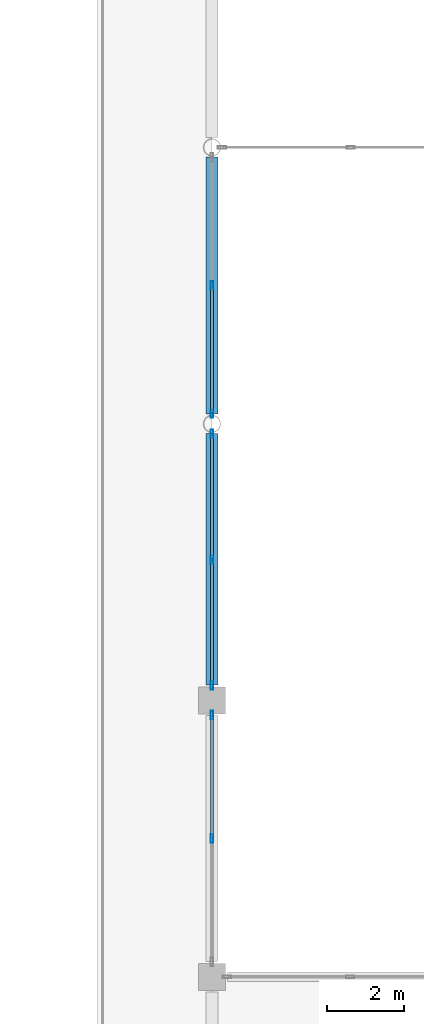
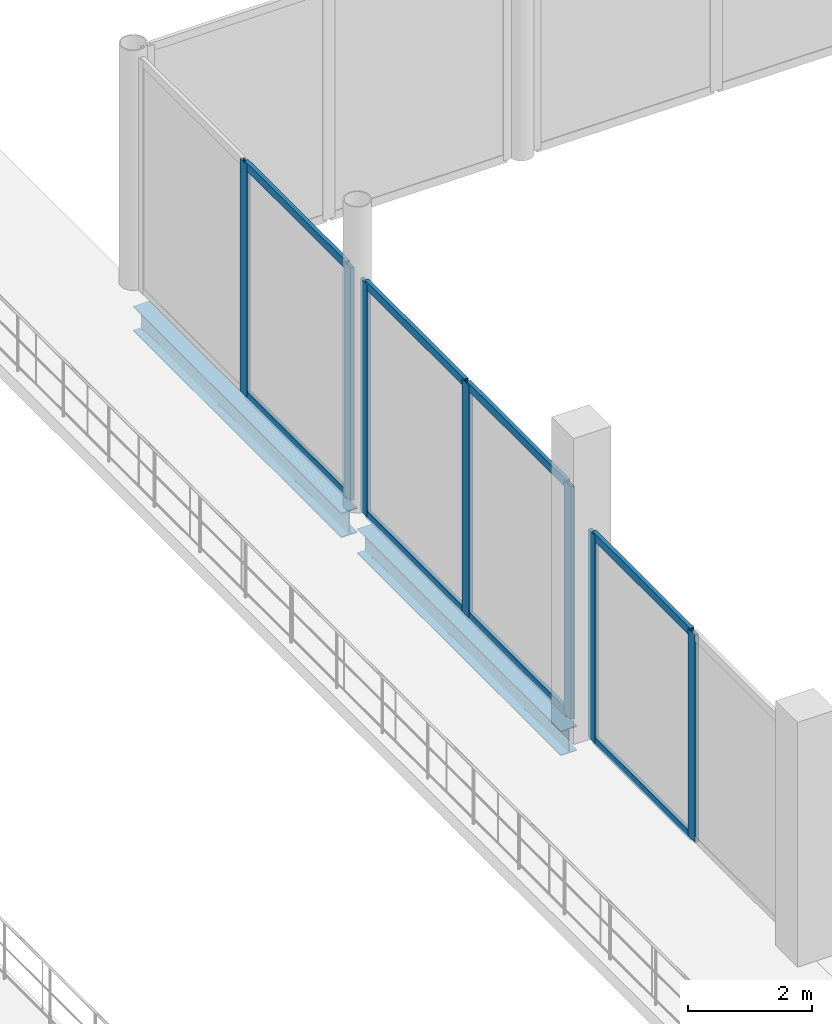
# One storey, part 40 of 120: 15 members, 2 beams, 3 elements without a shape of their own.
"""IFC4 building model written with IfcOpenShell, lengths in metres."""

from ifc_helpers import new_model, si_unit, direction, frame, origin, origin_2d, place, context, subcontext, project, spatial, hollow_rectangle, i_section, extrude, material, material_profile, profile_set, type_object, element, aggregate, save


model = new_model("IFC4")

# Units and contexts
model_context = context("Model", 3, precision=1e-05, world=origin(), true_north=direction((0.0, 1.0)))
body_context = subcontext(model_context, "Body", "Model", "MODEL_VIEW")
ifc_project = project(units=[si_unit("LENGTHUNIT", "METRE"), si_unit("AREAUNIT", "SQUARE_METRE"), si_unit("VOLUMEUNIT", "CUBIC_METRE"), si_unit("PLANEANGLEUNIT", "RADIAN"), si_unit("MASSUNIT", "GRAM", prefix="KILO")], contexts=[model_context])

# Site, building, storey
site_placement = place(None, origin())
site = spatial("IfcSite", under=ifc_project, at=site_placement, CompositionType="ELEMENT")
building_placement = place(site_placement, origin())
building = spatial("IfcBuilding", under=site, at=building_placement, Name="Vesperath Aquatics Centre", CompositionType="ELEMENT")
storey_placement = place(building_placement, frame((0.0, 0.0, 10.199951171875)))
storey = spatial("IfcBuildingStorey", under=building, at=storey_placement, Name="L02", CompositionType="ELEMENT", Elevation=10.199951171875)

# Beams
ifc_material_1 = material(Name="Steel Q355C", Category="steel")
ifc_material_profile_1 = material_profile(ifc_material_1, i_section(OverallWidth=0.300048828125, OverallDepth=0.488037109375, WebThickness=0.010986328125, FlangeThickness=0.01806640625, FilletRadius=0.02587890625, at=origin_2d()), Name="HM 488x300x11x18")
ifc_profile_set_1 = profile_set([ifc_material_profile_1], Name="Steel Q355C")
beam_type = type_object("IfcBeamType", Name="BM-G10", PredefinedType="BEAM", material=ifc_profile_set_1)
beam_1_placement = place(storey_placement, frame((115.199951171875, 50.800048828125, -0.50390625), z_axis=(0.0, 1.0, 0.0), x_axis=(-1.0, 0.0, 0.0)))
element("IfcBeam", 1, at=beam_1_placement, inside=storey, type_object=beam_type, Name="Floor Girder B10 L02 17 H-J", PredefinedType="BEAM", context=body_context, shape_type="SweptSolid", body=[
    extrude(i_section(OverallWidth=0.300048828125, OverallDepth=0.488037109375, WebThickness=0.010986328125, FlangeThickness=0.01806640625, FilletRadius=0.02587890625, at=origin_2d()), origin(), (0.0, 0.0, 1.0), 6.5458984375),
])
beam_2_placement = place(storey_placement, frame((115.199951171875, 57.85400390625, -0.50390625), z_axis=(0.0, 1.0, 0.0), x_axis=(-1.0, 0.0, 0.0)))
element("IfcBeam", 2, at=beam_2_placement, inside=storey, type_object=beam_type, Name="Floor Girder B10 L02 17 J-K", PredefinedType="BEAM", context=body_context, shape_type="SweptSolid", body=[
    extrude(i_section(OverallWidth=0.300048828125, OverallDepth=0.488037109375, WebThickness=0.010986328125, FlangeThickness=0.01806640625, FilletRadius=0.02587890625, at=origin_2d()), origin(), (0.0, 0.0, 1.0), 6.69189453125),
])

# Curtain wall, members
ifc_material_2 = material(Name="Thermally broken anodised bronze aluminium curtain wall", Category="aluminium")
curtain_wall_type = type_object("IfcCurtainWallType", Name="CW-06", PredefinedType="NOTDEFINED", material=ifc_material_2)
curtain_wall_1_placement = place(storey_placement, origin())
curtain_wall_1 = element("IfcCurtainWall", 3, at=curtain_wall_1_placement, inside=storey, type_object=curtain_wall_type, Name="Facade Curtain Wall CW06 L02_E_16_06", PredefinedType="NOTDEFINED")
ifc_material_3 = material(Name="Thermally broken anodised aluminium", Category="aluminium")
ifc_material_profile_2 = material_profile(ifc_material_3, hollow_rectangle(XDim=0.070068359375, YDim=0.219970703125, WallThickness=0.0048828125, at=origin_2d()), Name="CWM 70x220x5")
ifc_profile_set_2 = profile_set([ifc_material_profile_2], Name="Thermally broken anodised aluminium")
member_type_1 = type_object("IfcMemberType", Name="MB-CWM2", PredefinedType="MULLION", material=ifc_profile_set_2)
member_1_placement = place(storey_placement, frame((115.199951171875, 46.800048828125, 0.0), z_axis=(0.0, 0.0, 1.0), x_axis=(-1.0, 0.0, 0.0)))
member_1 = element("IfcMember", 4, at=member_1_placement, type_object=member_type_1, Name="CW06 mullion 2", PredefinedType="MULLION", context=body_context, shape_type="SweptSolid", body=[
    extrude(hollow_rectangle(XDim=0.070068359375, YDim=0.219970703125, WallThickness=0.0048828125, at=origin_2d()), origin(), (0.0, 0.0, 1.0), 4.072021484375),
])
member_2_placement = place(storey_placement, frame((115.199951171875, 50.014892578125, 0.0), z_axis=(0.0, 0.0, 1.0), x_axis=(-1.0, 0.0, 0.0)))
member_2 = element("IfcMember", 5, at=member_2_placement, type_object=member_type_1, Name="CW06 mullion 3", PredefinedType="MULLION", context=body_context, shape_type="SweptSolid", body=[
    extrude(hollow_rectangle(XDim=0.070068359375, YDim=0.219970703125, WallThickness=0.0048828125, at=origin_2d()), origin(), (0.0, 0.0, 1.0), 4.072021484375),
])

curtain_wall_2_placement = place(storey_placement, origin())
curtain_wall_2 = element("IfcCurtainWall", 6, at=curtain_wall_2_placement, inside=storey, type_object=curtain_wall_type, Name="Facade Curtain Wall CW06 L02_E_16_07", PredefinedType="NOTDEFINED")
member_3_placement = place(storey_placement, frame((115.199951171875, 50.784912109375, 0.0), z_axis=(0.0, 0.0, 1.0), x_axis=(-1.0, 0.0, 0.0)))
member_3 = element("IfcMember", 7, at=member_3_placement, type_object=member_type_1, Name="CW06 mullion 1", PredefinedType="MULLION", context=body_context, shape_type="SweptSolid", body=[
    extrude(hollow_rectangle(XDim=0.070068359375, YDim=0.219970703125, WallThickness=0.0048828125, at=origin_2d()), origin(), (0.0, 0.0, 1.0), 4.56005859375),
])
member_4_placement = place(storey_placement, frame((115.199951171875, 54.060791015625, 0.0), z_axis=(0.0, 0.0, 1.0), x_axis=(-1.0, 0.0, 0.0)))
member_4 = element("IfcMember", 8, at=member_4_placement, type_object=member_type_1, Name="CW06 mullion 2", PredefinedType="MULLION", context=body_context, shape_type="SweptSolid", body=[
    extrude(hollow_rectangle(XDim=0.070068359375, YDim=0.219970703125, WallThickness=0.0048828125, at=origin_2d()), origin(), (0.0, 0.0, 1.0), 4.56005859375),
])
member_5_placement = place(storey_placement, frame((115.199951171875, 57.33642578125, 0.0), z_axis=(0.0, 0.0, 1.0), x_axis=(-1.0, 0.0, 0.0)))
member_5 = element("IfcMember", 9, at=member_5_placement, type_object=member_type_1, Name="CW06 mullion 3", PredefinedType="MULLION", context=body_context, shape_type="SweptSolid", body=[
    extrude(hollow_rectangle(XDim=0.070068359375, YDim=0.219970703125, WallThickness=0.0048828125, at=origin_2d()), origin(), (0.0, 0.0, 1.0), 4.56005859375),
])

curtain_wall_3_placement = place(storey_placement, origin())
curtain_wall_3 = element("IfcCurtainWall", 10, at=curtain_wall_3_placement, inside=storey, type_object=curtain_wall_type, Name="Facade Curtain Wall CW06 L02_E_16_08", PredefinedType="NOTDEFINED")
member_6_placement = place(storey_placement, frame((115.199951171875, 57.863525390625, 0.0), z_axis=(0.0, 0.0, 1.0), x_axis=(-1.0, 0.0, 0.0)))
member_6 = element("IfcMember", 11, at=member_6_placement, type_object=member_type_1, Name="CW06 mullion 1", PredefinedType="MULLION", context=body_context, shape_type="SweptSolid", body=[
    extrude(hollow_rectangle(XDim=0.070068359375, YDim=0.219970703125, WallThickness=0.0048828125, at=origin_2d()), origin(), (0.0, 0.0, 1.0), 4.56005859375),
])
member_7_placement = place(storey_placement, frame((115.199951171875, 61.199951171875, 0.0), z_axis=(0.0, 0.0, 1.0), x_axis=(-1.0, 0.0, 0.0)))
member_7 = element("IfcMember", 12, at=member_7_placement, type_object=member_type_1, Name="CW06 mullion 2", PredefinedType="MULLION", context=body_context, shape_type="SweptSolid", body=[
    extrude(hollow_rectangle(XDim=0.070068359375, YDim=0.219970703125, WallThickness=0.0048828125, at=origin_2d()), origin(), (0.0, 0.0, 1.0), 4.56005859375),
])

# Member
ifc_material_profile_3 = material_profile(ifc_material_3, hollow_rectangle(XDim=0.070068359375, YDim=0.159912109375, WallThickness=0.0048828125, at=origin_2d()), Name="CWT 70x160x5")
ifc_profile_set_3 = profile_set([ifc_material_profile_3], Name="Thermally broken anodised aluminium")
member_type_2 = type_object("IfcMemberType", Name="MB-CWT2", PredefinedType="USERDEFINED", material=ifc_profile_set_3)
member_8_placement = place(storey_placement, frame((115.199951171875, 46.8349609375, 0.03515625), z_axis=(0.0, 1.0, 0.0), x_axis=(-1.0, 0.0, 0.0)))
member_8 = element("IfcMember", 13, at=member_8_placement, type_object=member_type_2, Name="CW06 transom 2.1", ObjectType="TRANSOM", PredefinedType="USERDEFINED", context=body_context, shape_type="SweptSolid", body=[
    extrude(hollow_rectangle(XDim=0.070068359375, YDim=0.159912109375, WallThickness=0.0048828125, at=origin_2d()), origin(), (0.0, 0.0, 1.0), 3.14501953125),
])

member_9_placement = place(storey_placement, frame((115.199951171875, 46.8349609375, 4.037109375), z_axis=(0.0, 1.0, 0.0), x_axis=(-1.0, 0.0, 0.0)))
member_9 = element("IfcMember", 14, at=member_9_placement, type_object=member_type_2, Name="CW06 transom 2.2", ObjectType="TRANSOM", PredefinedType="USERDEFINED", context=body_context, shape_type="SweptSolid", body=[
    extrude(hollow_rectangle(XDim=0.070068359375, YDim=0.159912109375, WallThickness=0.0048828125, at=origin_2d()), origin(), (0.0, 0.0, 1.0), 3.14501953125),
])

aggregate(curtain_wall_1, [member_1, member_2, member_8, member_9])

member_10_placement = place(storey_placement, frame((115.199951171875, 50.820068359375, 0.03515625), z_axis=(0.0, 1.0, 0.0), x_axis=(-1.0, 0.0, 0.0)))
member_10 = element("IfcMember", 15, at=member_10_placement, type_object=member_type_2, Name="CW06 transom 1.1", ObjectType="TRANSOM", PredefinedType="USERDEFINED", context=body_context, shape_type="SweptSolid", body=[
    extrude(hollow_rectangle(XDim=0.070068359375, YDim=0.159912109375, WallThickness=0.0048828125, at=origin_2d()), origin(), (0.0, 0.0, 1.0), 3.20556640625),
])

member_11_placement = place(storey_placement, frame((115.199951171875, 50.820068359375, 4.525146484375), z_axis=(0.0, 1.0, 0.0), x_axis=(-1.0, 0.0, 0.0)))
member_11 = element("IfcMember", 16, at=member_11_placement, type_object=member_type_2, Name="CW06 transom 1.2", ObjectType="TRANSOM", PredefinedType="USERDEFINED", context=body_context, shape_type="SweptSolid", body=[
    extrude(hollow_rectangle(XDim=0.070068359375, YDim=0.159912109375, WallThickness=0.0048828125, at=origin_2d()), origin(), (0.0, 0.0, 1.0), 3.20556640625),
])

member_12_placement = place(storey_placement, frame((115.199951171875, 54.095703125, 0.03515625), z_axis=(0.0, 1.0, 0.0), x_axis=(-1.0, 0.0, 0.0)))
member_12 = element("IfcMember", 17, at=member_12_placement, type_object=member_type_2, Name="CW06 transom 2.1", ObjectType="TRANSOM", PredefinedType="USERDEFINED", context=body_context, shape_type="SweptSolid", body=[
    extrude(hollow_rectangle(XDim=0.070068359375, YDim=0.159912109375, WallThickness=0.0048828125, at=origin_2d()), origin(), (0.0, 0.0, 1.0), 3.205810546875),
])

member_13_placement = place(storey_placement, frame((115.199951171875, 54.095703125, 4.525146484375), z_axis=(0.0, 1.0, 0.0), x_axis=(-1.0, 0.0, 0.0)))
member_13 = element("IfcMember", 18, at=member_13_placement, type_object=member_type_2, Name="CW06 transom 2.2", ObjectType="TRANSOM", PredefinedType="USERDEFINED", context=body_context, shape_type="SweptSolid", body=[
    extrude(hollow_rectangle(XDim=0.070068359375, YDim=0.159912109375, WallThickness=0.0048828125, at=origin_2d()), origin(), (0.0, 0.0, 1.0), 3.205810546875),
])

aggregate(curtain_wall_2, [member_3, member_4, member_5, member_10, member_11, member_12, member_13])

member_14_placement = place(storey_placement, frame((115.199951171875, 57.8984375, 0.03515625), z_axis=(0.0, 1.0, 0.0), x_axis=(-1.0, 0.0, 0.0)))
member_14 = element("IfcMember", 19, at=member_14_placement, type_object=member_type_2, Name="CW06 transom 1.1", ObjectType="TRANSOM", PredefinedType="USERDEFINED", context=body_context, shape_type="SweptSolid", body=[
    extrude(hollow_rectangle(XDim=0.070068359375, YDim=0.159912109375, WallThickness=0.0048828125, at=origin_2d()), origin(), (0.0, 0.0, 1.0), 3.2666015625),
])

member_15_placement = place(storey_placement, frame((115.199951171875, 57.8984375, 4.525146484375), z_axis=(0.0, 1.0, 0.0), x_axis=(-1.0, 0.0, 0.0)))
member_15 = element("IfcMember", 20, at=member_15_placement, type_object=member_type_2, Name="CW06 transom 1.2", ObjectType="TRANSOM", PredefinedType="USERDEFINED", context=body_context, shape_type="SweptSolid", body=[
    extrude(hollow_rectangle(XDim=0.070068359375, YDim=0.159912109375, WallThickness=0.0048828125, at=origin_2d()), origin(), (0.0, 0.0, 1.0), 3.2666015625),
])

aggregate(curtain_wall_3, [member_6, member_7, member_14, member_15])

save(model, "model.ifc")
